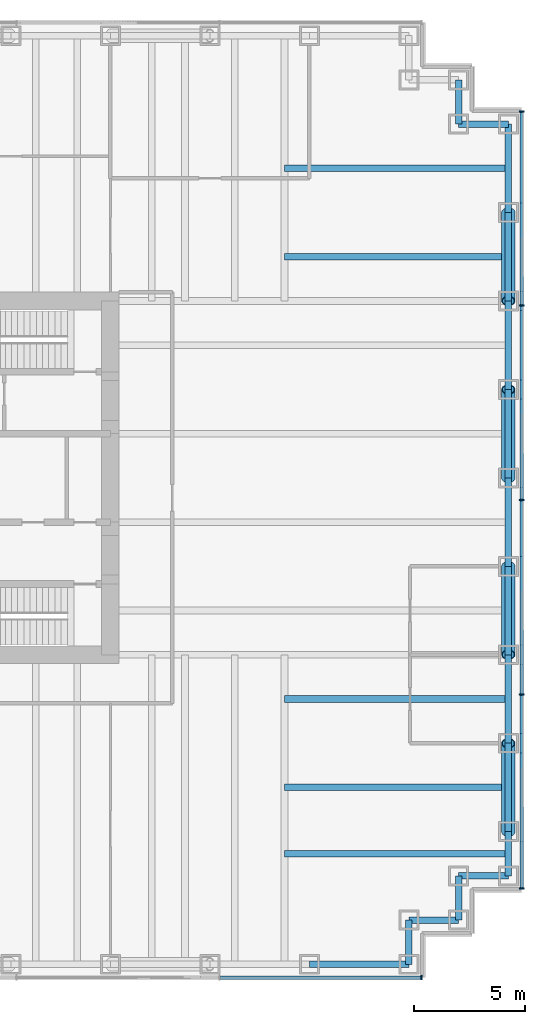
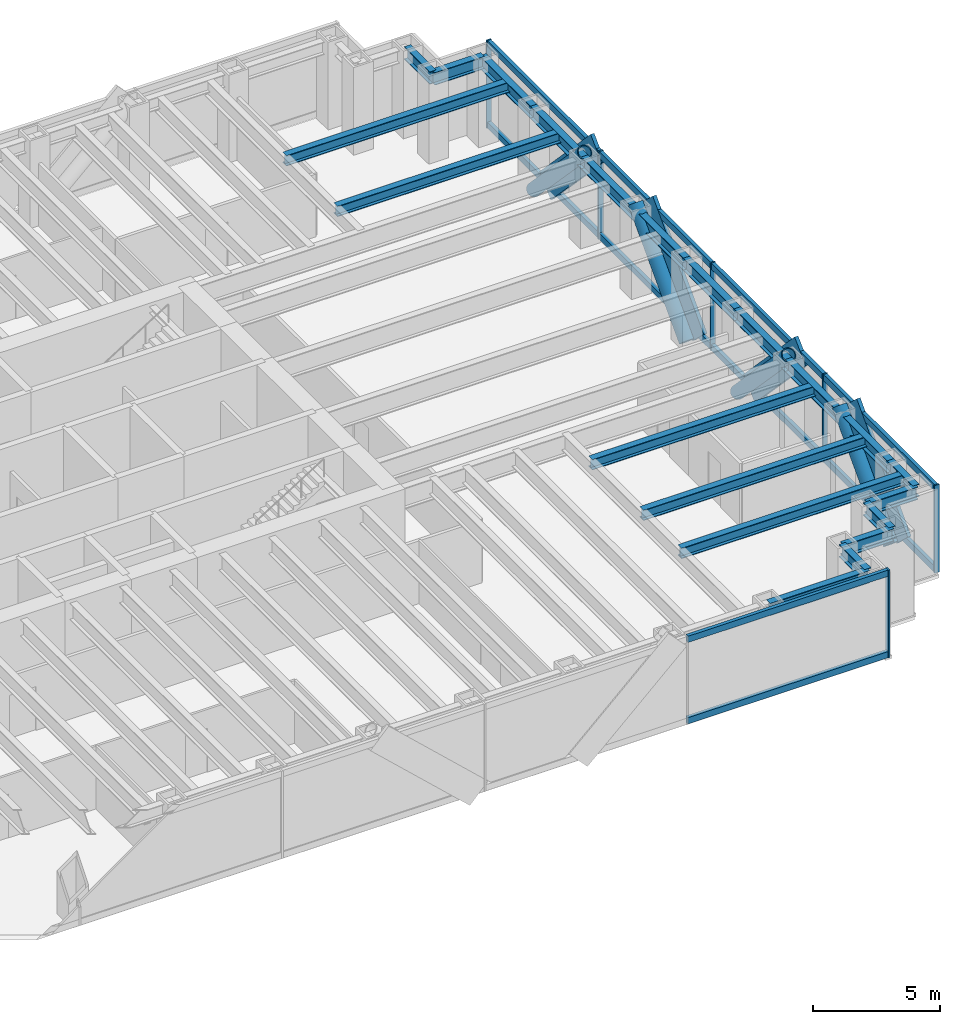
# One storey, part 7 of 14: 24 members, 21 beams, 2 elements without a shape of their own.
"""IFC4 building model written with IfcOpenShell, lengths in metres."""

from ifc_helpers import new_model, si_unit, direction, frame, origin, origin_2d, place, context, subcontext, project, spatial, rectangle, hollow_circle, i_section, extrude, material, material_profile, profile_set, type_object, element, aggregate, save


model = new_model("IFC4")

# Units and contexts
model_context = context("Model", 3, precision=1e-05, world=origin(), true_north=direction((0.0, 1.0)))
body_context = subcontext(model_context, "Body", "Model", "MODEL_VIEW")
ifc_project = project(units=[si_unit("LENGTHUNIT", "METRE"), si_unit("AREAUNIT", "SQUARE_METRE"), si_unit("VOLUMEUNIT", "CUBIC_METRE"), si_unit("PLANEANGLEUNIT", "RADIAN"), si_unit("MASSUNIT", "GRAM", prefix="KILO")], contexts=[model_context])

# Site, building, storey
site_placement = place(None, origin())
site = spatial("IfcSite", under=ifc_project, at=site_placement, CompositionType="ELEMENT")
building_placement = place(site_placement, origin())
building = spatial("IfcBuilding", under=site, at=building_placement, Name="Rheinbord Bourse Tower", CompositionType="ELEMENT")
storey_placement = place(building_placement, frame((0.0, 0.0, 202.60009765625)))
storey = spatial("IfcBuildingStorey", under=building, at=storey_placement, Name="L45", CompositionType="ELEMENT", Elevation=202.60009765625)

# Curtain wall, members
ifc_material_1 = material(Name="Dark glass and black aluminium", Category="aluminium")
curtain_wall_type = type_object("IfcCurtainWallType", Name="CW2 DARK GLASS CURTAIN WALL", PredefinedType="USERDEFINED", material=ifc_material_1)
curtain_wall_1_placement = place(storey_placement, origin())
curtain_wall_1 = element("IfcCurtainWall", 1, at=curtain_wall_1_placement, inside=storey, type_object=curtain_wall_type, Name="Curtain wall CW2 E L45", ObjectType="UNITISED CURTAIN WALL", PredefinedType="USERDEFINED")
ifc_material_2 = material(Name="Black anodised aluminium", Category="aluminium")
ifc_material_profile_1 = material_profile(ifc_material_2, rectangle(XDim=0.159912109375, YDim=1.2099609375, at=origin_2d()), Name="CW2 DIAGONAL MULLION 1210x160")
ifc_profile_set_1 = profile_set([ifc_material_profile_1], Name="Black anodised aluminium")
member_type_1 = type_object("IfcMemberType", Name="CW2 BLACK DIAGONAL MULLION", PredefinedType="USERDEFINED", material=ifc_profile_set_1)
member_1_placement = place(storey_placement, frame((72.60009765625, 36.0, 0.0), z_axis=(0.0, -0.689659376744, 0.724133926887), x_axis=(1.0, 0.0, 0.0)))
member_1 = element("IfcMember", 2, at=member_1_placement, type_object=member_type_1, Name="CW2 diagonal mullion a", ObjectType="DIAGONAL MULLION", PredefinedType="USERDEFINED", context=body_context, shape_type="SweptSolid", body=[
    extrude(rectangle(XDim=0.159912109375, YDim=1.2099609375, at=origin_2d()), origin(), (0.0, 0.0, 1.0), 5.800048828125),
])
member_2_placement = place(storey_placement, frame((72.60009765625, 8.0, 0.0), z_axis=(0.0, 0.689659376744, 0.724133926887), x_axis=(-1.0, 0.0, 0.0)))
member_2 = element("IfcMember", 3, at=member_2_placement, type_object=member_type_1, Name="CW2 diagonal mullion b", ObjectType="DIAGONAL MULLION", PredefinedType="USERDEFINED", context=body_context, shape_type="SweptSolid", body=[
    extrude(rectangle(XDim=0.159912109375, YDim=1.2099609375, at=origin_2d()), origin(), (0.0, 0.0, 1.0), 5.800048828125),
])
member_3_placement = place(storey_placement, frame((72.60009765625, 20.0, 0.0), z_axis=(0.0, -0.689659376744, 0.724133926887), x_axis=(1.0, 0.0, 0.0)))
member_3 = element("IfcMember", 4, at=member_3_placement, type_object=member_type_1, Name="CW2 diagonal mullion c", ObjectType="DIAGONAL MULLION", PredefinedType="USERDEFINED", context=body_context, shape_type="SweptSolid", body=[
    extrude(rectangle(XDim=0.159912109375, YDim=1.2099609375, at=origin_2d()), origin(), (0.0, 0.0, 1.0), 5.800048828125),
])
member_4_placement = place(storey_placement, frame((72.60009765625, 24.0, 0.0), z_axis=(0.0, 0.689659376744, 0.724133926887), x_axis=(-1.0, 0.0, 0.0)))
member_4 = element("IfcMember", 5, at=member_4_placement, type_object=member_type_1, Name="CW2 diagonal mullion d", ObjectType="DIAGONAL MULLION", PredefinedType="USERDEFINED", context=body_context, shape_type="SweptSolid", body=[
    extrude(rectangle(XDim=0.159912109375, YDim=1.2099609375, at=origin_2d()), origin(), (0.0, 0.0, 1.0), 5.800048828125),
])

# Curtain wall, member
curtain_wall_2_placement = place(storey_placement, origin())
curtain_wall_2 = element("IfcCurtainWall", 6, at=curtain_wall_2_placement, inside=storey, type_object=curtain_wall_type, Name="Curtain wall CW2 S L45", ObjectType="UNITISED CURTAIN WALL", PredefinedType="USERDEFINED")
ifc_material_3 = material(Name="Black anodised aluminium", Category="aluminium")
ifc_material_profile_2 = material_profile(ifc_material_3, rectangle(XDim=0.219970703125, YDim=0.070068359375, at=origin_2d()), Name="CW2 MULLION 70x220")
ifc_profile_set_2 = profile_set([ifc_material_profile_2], Name="Black anodised aluminium")
member_type_2 = type_object("IfcMemberType", Name="CW2 BLACK MULLION", PredefinedType="MULLION", material=ifc_profile_set_2)
member_5_placement = place(storey_placement, frame((68.06494140625, 1.39990234375, 0.0), z_axis=(0.0, 0.0, 1.0), x_axis=(0.0, 1.0, 0.0)))
member_5 = element("IfcMember", 7, at=member_5_placement, type_object=member_type_2, Name="CW2 mullion 8", PredefinedType="MULLION", context=body_context, shape_type="SweptSolid", body=[
    extrude(rectangle(XDim=0.219970703125, YDim=0.070068359375, at=origin_2d()), origin(), (0.0, 0.0, 1.0), 4.199951171875),
])

# Member
member_6_placement = place(storey_placement, frame((72.60009765625, 5.43505859375, 0.0), z_axis=(0.0, 0.0, 1.0), x_axis=(-1.0, 0.0, 0.0)))
member_6 = element("IfcMember", 8, at=member_6_placement, type_object=member_type_2, Name="CW2 mullion 1", PredefinedType="MULLION", context=body_context, shape_type="SweptSolid", body=[
    extrude(rectangle(XDim=0.219970703125, YDim=0.070068359375, at=origin_2d()), origin(), (0.0, 0.0, 1.0), 4.199951171875),
])

member_7_placement = place(storey_placement, frame((72.60009765625, 14.199951171875, 0.0), z_axis=(0.0, 0.0, 1.0), x_axis=(-1.0, 0.0, 0.0)))
member_7 = element("IfcMember", 9, at=member_7_placement, type_object=member_type_2, Name="CW2 mullion 2", PredefinedType="MULLION", context=body_context, shape_type="SweptSolid", body=[
    extrude(rectangle(XDim=0.219970703125, YDim=0.070068359375, at=origin_2d()), origin(), (0.0, 0.0, 1.0), 4.199951171875),
])

member_8_placement = place(storey_placement, frame((72.60009765625, 23.0, 0.0), z_axis=(0.0, 0.0, 1.0), x_axis=(-1.0, 0.0, 0.0)))
member_8 = element("IfcMember", 10, at=member_8_placement, type_object=member_type_2, Name="CW2 mullion 3", PredefinedType="MULLION", context=body_context, shape_type="SweptSolid", body=[
    extrude(rectangle(XDim=0.219970703125, YDim=0.070068359375, at=origin_2d()), origin(), (0.0, 0.0, 1.0), 4.199951171875),
])

member_9_placement = place(storey_placement, frame((72.60009765625, 31.800048828125, 0.0), z_axis=(0.0, 0.0, 1.0), x_axis=(-1.0, 0.0, 0.0)))
member_9 = element("IfcMember", 11, at=member_9_placement, type_object=member_type_2, Name="CW2 mullion 4", PredefinedType="MULLION", context=body_context, shape_type="SweptSolid", body=[
    extrude(rectangle(XDim=0.219970703125, YDim=0.070068359375, at=origin_2d()), origin(), (0.0, 0.0, 1.0), 4.199951171875),
])

member_10_placement = place(storey_placement, frame((72.60009765625, 40.56494140625, 0.0), z_axis=(0.0, 0.0, 1.0), x_axis=(-1.0, 0.0, 0.0)))
member_10 = element("IfcMember", 12, at=member_10_placement, type_object=member_type_2, Name="CW2 mullion 5", PredefinedType="MULLION", context=body_context, shape_type="SweptSolid", body=[
    extrude(rectangle(XDim=0.219970703125, YDim=0.070068359375, at=origin_2d()), origin(), (0.0, 0.0, 1.0), 4.199951171875),
])

ifc_material_4 = material(Name="Black anodised aluminium", Category="aluminium")
ifc_material_profile_3 = material_profile(ifc_material_4, rectangle(XDim=0.159912109375, YDim=0.300048828125, at=origin_2d()), Name="CW2 TRANSOM 300x160")
ifc_profile_set_3 = profile_set([ifc_material_profile_3], Name="Black anodised aluminium")
member_type_3 = type_object("IfcMemberType", Name="CW2 BLACK TRANSOM", PredefinedType="USERDEFINED", material=ifc_profile_set_3)
member_11_placement = place(storey_placement, frame((58.963623046875, 1.39990234375, 0.14990234375), z_axis=(1.0, 0.0, 0.0), x_axis=(0.0, 1.0, 0.0)))
member_11 = element("IfcMember", 13, at=member_11_placement, type_object=member_type_3, Name="CW2 transom 7.1", ObjectType="TRANSOM", PredefinedType="USERDEFINED", context=body_context, shape_type="SweptSolid", body=[
    extrude(rectangle(XDim=0.159912109375, YDim=0.300048828125, at=origin_2d()), origin(), (0.0, 0.0, 1.0), 9.06640625),
])

member_12_placement = place(storey_placement, frame((58.963623046875, 1.39990234375, 4.0498046875), z_axis=(1.0, 0.0, 0.0), x_axis=(0.0, 1.0, 0.0)))
member_12 = element("IfcMember", 14, at=member_12_placement, type_object=member_type_3, Name="CW2 transom 7.2", ObjectType="TRANSOM", PredefinedType="USERDEFINED", context=body_context, shape_type="SweptSolid", body=[
    extrude(rectangle(XDim=0.159912109375, YDim=0.300048828125, at=origin_2d()), origin(), (0.0, 0.0, 1.0), 9.06640625),
])

aggregate(curtain_wall_2, [member_5, member_11, member_12])

member_13_placement = place(storey_placement, frame((72.60009765625, 5.469970703125, 0.14990234375), z_axis=(0.0, 1.0, 0.0), x_axis=(-1.0, 0.0, 0.0)))
member_13 = element("IfcMember", 15, at=member_13_placement, type_object=member_type_3, Name="CW2 transom 1.1", ObjectType="TRANSOM", PredefinedType="USERDEFINED", context=body_context, shape_type="SweptSolid", body=[
    extrude(rectangle(XDim=0.159912109375, YDim=0.300048828125, at=origin_2d()), origin(), (0.0, 0.0, 1.0), 8.695068359375),
])

member_14_placement = place(storey_placement, frame((72.60009765625, 5.469970703125, 4.0498046875), z_axis=(0.0, 1.0, 0.0), x_axis=(-1.0, 0.0, 0.0)))
member_14 = element("IfcMember", 16, at=member_14_placement, type_object=member_type_3, Name="CW2 transom 1.2", ObjectType="TRANSOM", PredefinedType="USERDEFINED", context=body_context, shape_type="SweptSolid", body=[
    extrude(rectangle(XDim=0.159912109375, YDim=0.300048828125, at=origin_2d()), origin(), (0.0, 0.0, 1.0), 8.695068359375),
])

member_15_placement = place(storey_placement, frame((72.60009765625, 14.235107421875, 0.14990234375), z_axis=(0.0, 1.0, 0.0), x_axis=(-1.0, 0.0, 0.0)))
member_15 = element("IfcMember", 17, at=member_15_placement, type_object=member_type_3, Name="CW2 transom 2.1", ObjectType="TRANSOM", PredefinedType="USERDEFINED", context=body_context, shape_type="SweptSolid", body=[
    extrude(rectangle(XDim=0.159912109375, YDim=0.300048828125, at=origin_2d()), origin(), (0.0, 0.0, 1.0), 8.72998046875),
])

member_16_placement = place(storey_placement, frame((72.60009765625, 14.235107421875, 4.0498046875), z_axis=(0.0, 1.0, 0.0), x_axis=(-1.0, 0.0, 0.0)))
member_16 = element("IfcMember", 18, at=member_16_placement, type_object=member_type_3, Name="CW2 transom 2.2", ObjectType="TRANSOM", PredefinedType="USERDEFINED", context=body_context, shape_type="SweptSolid", body=[
    extrude(rectangle(XDim=0.159912109375, YDim=0.300048828125, at=origin_2d()), origin(), (0.0, 0.0, 1.0), 8.72998046875),
])

member_17_placement = place(storey_placement, frame((72.60009765625, 23.034912109375, 0.14990234375), z_axis=(0.0, 1.0, 0.0), x_axis=(-1.0, 0.0, 0.0)))
member_17 = element("IfcMember", 19, at=member_17_placement, type_object=member_type_3, Name="CW2 transom 3.1", ObjectType="TRANSOM", PredefinedType="USERDEFINED", context=body_context, shape_type="SweptSolid", body=[
    extrude(rectangle(XDim=0.159912109375, YDim=0.300048828125, at=origin_2d()), origin(), (0.0, 0.0, 1.0), 8.72998046875),
])

member_18_placement = place(storey_placement, frame((72.60009765625, 23.034912109375, 4.0498046875), z_axis=(0.0, 1.0, 0.0), x_axis=(-1.0, 0.0, 0.0)))
member_18 = element("IfcMember", 20, at=member_18_placement, type_object=member_type_3, Name="CW2 transom 3.2", ObjectType="TRANSOM", PredefinedType="USERDEFINED", context=body_context, shape_type="SweptSolid", body=[
    extrude(rectangle(XDim=0.159912109375, YDim=0.300048828125, at=origin_2d()), origin(), (0.0, 0.0, 1.0), 8.72998046875),
])

member_19_placement = place(storey_placement, frame((72.60009765625, 31.8349609375, 0.14990234375), z_axis=(0.0, 1.0, 0.0), x_axis=(-1.0, 0.0, 0.0)))
member_19 = element("IfcMember", 21, at=member_19_placement, type_object=member_type_3, Name="CW2 transom 4.1", ObjectType="TRANSOM", PredefinedType="USERDEFINED", context=body_context, shape_type="SweptSolid", body=[
    extrude(rectangle(XDim=0.159912109375, YDim=0.300048828125, at=origin_2d()), origin(), (0.0, 0.0, 1.0), 8.695068359375),
])

member_20_placement = place(storey_placement, frame((72.60009765625, 31.8349609375, 4.0498046875), z_axis=(0.0, 1.0, 0.0), x_axis=(-1.0, 0.0, 0.0)))
member_20 = element("IfcMember", 22, at=member_20_placement, type_object=member_type_3, Name="CW2 transom 4.2", ObjectType="TRANSOM", PredefinedType="USERDEFINED", context=body_context, shape_type="SweptSolid", body=[
    extrude(rectangle(XDim=0.159912109375, YDim=0.300048828125, at=origin_2d()), origin(), (0.0, 0.0, 1.0), 8.695068359375),
])

aggregate(curtain_wall_1, [member_6, member_7, member_8, member_9, member_10, member_13, member_14, member_15, member_16, member_17, member_18, member_19, member_20, member_1, member_2, member_3, member_4])

# Members
ifc_material_5 = material(Name="Steel S460", Category="steel")
ifc_material_profile_4 = material_profile(ifc_material_5, hollow_circle(Radius=0.304931640625, WallThickness=0.0400390625, at=origin_2d()), Name="CHS 610x40")
ifc_profile_set_4 = profile_set([ifc_material_profile_4], Name="Steel S460")
member_type_4 = type_object("IfcMemberType", Name="MEGABRACE CHS 610x40", PredefinedType="BRACE", material=ifc_profile_set_4)
for number, where, z_axis, x_axis, name in (
    (23, (72.0, 36.0, 0.0), (0.0, -0.689659376744, 0.724133926887), (1.0, 0.0, 0.0), "Megabrace E face line a L45"),
    (24, (72.0, 8.0, 0.0), (0.0, 0.689659376744, 0.724133926887), (-1.0, 0.0, 0.0), "Megabrace E face line b L45"),
    (25, (72.0, 20.0, 0.0), (0.0, -0.689659376744, 0.724133926887), (1.0, 0.0, 0.0), "Megabrace E face line c L45"),
    (26, (72.0, 24.0, 0.0), (0.0, 0.689659376744, 0.724133926887), (-1.0, 0.0, 0.0), "Megabrace E face line d L45"),
):
    element("IfcMember", number, at=place(storey_placement, frame(where, z_axis=z_axis, x_axis=x_axis)), inside=storey, type_object=member_type_4, Name=name, PredefinedType="BRACE", context=body_context, shape_type="SweptSolid", body=[
        extrude(hollow_circle(Radius=0.304931640625, WallThickness=0.0400390625, at=origin_2d()), origin(), (0.0, 0.0, 1.0), 5.800048828125),
    ])

# Beams
ifc_material_6 = material(Name="Steel S460", Category="steel")
ifc_material_profile_5 = material_profile(ifc_material_6, i_section(OverallWidth=0.300048828125, OverallDepth=0.60009765625, WebThickness=0.015380859375, FlangeThickness=0.030029296875, at=origin_2d()), Name="HEB 600")
ifc_profile_set_5 = profile_set([ifc_material_profile_5], Name="Steel S460")
beam_type_1 = type_object("IfcBeamType", Name="SPANDREL HEB 600", PredefinedType="SPANDREL", material=ifc_profile_set_5)
beam_1_placement = place(storey_placement, frame((63.0, 2.0, 3.739990234375), z_axis=(1.0, 0.0, 0.0), x_axis=(0.0, 1.0, 0.0)))
element("IfcBeam", 27, at=beam_1_placement, inside=storey, type_object=beam_type_1, Name="Spandrel S-63-SE-E under L46", PredefinedType="SPANDREL", context=body_context, shape_type="SweptSolid", body=[
    extrude(i_section(OverallWidth=0.300048828125, OverallDepth=0.60009765625, WebThickness=0.015380859375, FlangeThickness=0.030029296875, at=origin_2d()), origin(), (0.0, 0.0, 1.0), 4.5),
])
beam_2_placement = place(storey_placement, frame((67.5, 2.0, 3.739990234375), z_axis=(0.0, 1.0, 0.0), x_axis=(-1.0, 0.0, 0.0)))
element("IfcBeam", 28, at=beam_2_placement, inside=storey, type_object=beam_type_1, Name="Spandrel SE-E-SE-D under L46", PredefinedType="SPANDREL", context=body_context, shape_type="SweptSolid", body=[
    extrude(i_section(OverallWidth=0.300048828125, OverallDepth=0.60009765625, WebThickness=0.015380859375, FlangeThickness=0.030029296875, at=origin_2d()), origin(), (0.0, 0.0, 1.0), 2.0),
])
beam_3_placement = place(storey_placement, frame((67.5, 4.0, 3.739990234375), z_axis=(1.0, 0.0, 0.0), x_axis=(0.0, 1.0, 0.0)))
element("IfcBeam", 29, at=beam_3_placement, inside=storey, type_object=beam_type_1, Name="Spandrel SE-D-SE-C under L46", PredefinedType="SPANDREL", context=body_context, shape_type="SweptSolid", body=[
    extrude(i_section(OverallWidth=0.300048828125, OverallDepth=0.60009765625, WebThickness=0.015380859375, FlangeThickness=0.030029296875, at=origin_2d()), origin(), (0.0, 0.0, 1.0), 2.25),
])
beam_4_placement = place(storey_placement, frame((69.75, 4.0, 3.739990234375), z_axis=(0.0, 1.0, 0.0), x_axis=(-1.0, 0.0, 0.0)))
element("IfcBeam", 30, at=beam_4_placement, inside=storey, type_object=beam_type_1, Name="Spandrel SE-C-SE-B under L46", PredefinedType="SPANDREL", context=body_context, shape_type="SweptSolid", body=[
    extrude(i_section(OverallWidth=0.300048828125, OverallDepth=0.60009765625, WebThickness=0.015380859375, FlangeThickness=0.030029296875, at=origin_2d()), origin(), (0.0, 0.0, 1.0), 2.0),
])
beam_5_placement = place(storey_placement, frame((69.75, 6.0, 3.739990234375), z_axis=(1.0, 0.0, 0.0), x_axis=(0.0, 1.0, 0.0)))
element("IfcBeam", 31, at=beam_5_placement, inside=storey, type_object=beam_type_1, Name="Spandrel SE-B-SE-A under L46", PredefinedType="SPANDREL", context=body_context, shape_type="SweptSolid", body=[
    extrude(i_section(OverallWidth=0.300048828125, OverallDepth=0.60009765625, WebThickness=0.015380859375, FlangeThickness=0.030029296875, at=origin_2d()), origin(), (0.0, 0.0, 1.0), 2.25),
])
beam_6_placement = place(storey_placement, frame((72.0, 6.0, 3.739990234375), z_axis=(0.0, 1.0, 0.0), x_axis=(-1.0, 0.0, 0.0)))
element("IfcBeam", 32, at=beam_6_placement, inside=storey, type_object=beam_type_1, Name="Spandrel SE-A-E-8 under L46", PredefinedType="SPANDREL", context=body_context, shape_type="SweptSolid", body=[
    extrude(i_section(OverallWidth=0.300048828125, OverallDepth=0.60009765625, WebThickness=0.015380859375, FlangeThickness=0.030029296875, at=origin_2d()), origin(), (0.0, 0.0, 1.0), 2.0),
])
for number, where, z_axis, x_axis, name in (
    (33, (72.0, 8.0, 3.739990234375), (0.0, 1.0, 0.0), (-1.0, 0.0, 0.0), "Spandrel E-8-E-12 under L46"),
    (34, (72.0, 12.0, 3.739990234375), (0.0, 1.0, 0.0), (-1.0, 0.0, 0.0), "Spandrel E-12-E-16 under L46"),
    (35, (72.0, 16.0, 3.739990234375), (0.0, 1.0, 0.0), (-1.0, 0.0, 0.0), "Spandrel E-16-E-20 under L46"),
    (36, (72.0, 20.0, 3.739990234375), (0.0, 1.0, 0.0), (-1.0, 0.0, 0.0), "Spandrel E-20-E-24 under L46"),
    (37, (72.0, 24.0, 3.739990234375), (0.0, 1.0, 0.0), (-1.0, 0.0, 0.0), "Spandrel E-24-E-28 under L46"),
    (38, (72.0, 28.0, 3.739990234375), (0.0, 1.0, 0.0), (-1.0, 0.0, 0.0), "Spandrel E-28-E-32 under L46"),
    (39, (72.0, 32.0, 3.739990234375), (0.0, 1.0, 0.0), (-1.0, 0.0, 0.0), "Spandrel E-32-E-36 under L46"),
    (40, (72.0, 36.0, 3.739990234375), (0.0, 1.0, 0.0), (-1.0, 0.0, 0.0), "Spandrel E-36-NE-A under L46"),
):
    element("IfcBeam", number, at=place(storey_placement, frame(where, z_axis=z_axis, x_axis=x_axis)), inside=storey, type_object=beam_type_1, Name=name, PredefinedType="SPANDREL", context=body_context, shape_type="SweptSolid", body=[
        extrude(i_section(OverallWidth=0.300048828125, OverallDepth=0.60009765625, WebThickness=0.015380859375, FlangeThickness=0.030029296875, at=origin_2d()), origin(), (0.0, 0.0, 1.0), 4.0),
    ])
beam_7_placement = place(storey_placement, frame((72.0, 40.0, 3.739990234375), z_axis=(-1.0, 0.0, 0.0), x_axis=(0.0, -1.0, 0.0)))
element("IfcBeam", 41, at=beam_7_placement, inside=storey, type_object=beam_type_1, Name="Spandrel NE-A-NE-B under L46", PredefinedType="SPANDREL", context=body_context, shape_type="SweptSolid", body=[
    extrude(i_section(OverallWidth=0.300048828125, OverallDepth=0.60009765625, WebThickness=0.015380859375, FlangeThickness=0.030029296875, at=origin_2d()), origin(), (0.0, 0.0, 1.0), 2.25),
])
beam_8_placement = place(storey_placement, frame((69.75, 40.0, 3.739990234375), z_axis=(0.0, 1.0, 0.0), x_axis=(-1.0, 0.0, 0.0)))
element("IfcBeam", 42, at=beam_8_placement, inside=storey, type_object=beam_type_1, Name="Spandrel NE-B-NE-C under L46", PredefinedType="SPANDREL", context=body_context, shape_type="SweptSolid", body=[
    extrude(i_section(OverallWidth=0.300048828125, OverallDepth=0.60009765625, WebThickness=0.015380859375, FlangeThickness=0.030029296875, at=origin_2d()), origin(), (0.0, 0.0, 1.0), 2.0),
])
ifc_material_7 = material(Name="Steel S460", Category="steel")
ifc_material_profile_6 = material_profile(ifc_material_7, i_section(OverallWidth=0.300048828125, OverallDepth=0.5, WebThickness=0.014404296875, FlangeThickness=0.028076171875, at=origin_2d()), Name="HEB 500")
ifc_profile_set_6 = profile_set([ifc_material_profile_6], Name="Steel S460")
beam_type_2 = type_object("IfcBeamType", Name="TIE BEAM HEB 500", PredefinedType="JOIST", material=ifc_profile_set_6)
for number, where, z_axis, x_axis, name in (
    (43, (61.875, 7.0, 3.789794921875), (1.0, 0.0, 0.0), (0.0, 1.0, 0.0), "Tie east 7 L46"),
    (44, (61.875, 10.0, 3.789794921875), (1.0, 0.0, 0.0), (0.0, 1.0, 0.0), "Tie east 10 L46"),
    (45, (61.875, 14.0, 3.789794921875), (1.0, 0.0, 0.0), (0.0, 1.0, 0.0), "Tie east 14 L46"),
    (46, (61.875, 34.0, 3.789794921875), (1.0, 0.0, 0.0), (0.0, 1.0, 0.0), "Tie east 34 L46"),
    (47, (61.875, 38.0, 3.789794921875), (1.0, 0.0, 0.0), (0.0, 1.0, 0.0), "Tie east 38 L46"),
):
    element("IfcBeam", number, at=place(storey_placement, frame(where, z_axis=z_axis, x_axis=x_axis)), inside=storey, type_object=beam_type_2, Name=name, PredefinedType="JOIST", context=body_context, shape_type="SweptSolid", body=[
        extrude(i_section(OverallWidth=0.300048828125, OverallDepth=0.5, WebThickness=0.014404296875, FlangeThickness=0.028076171875, at=origin_2d()), origin(), (0.0, 0.0, 1.0), 10.125),
    ])

save(model, "model.ifc")
